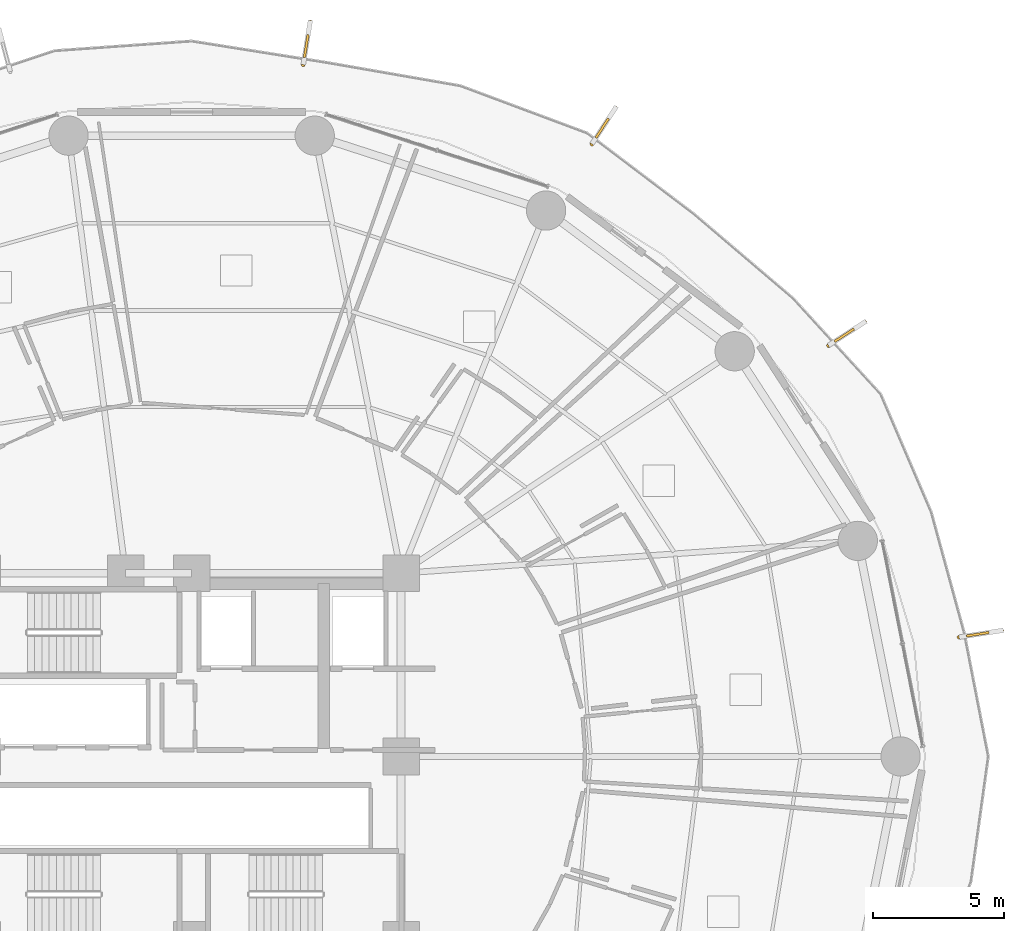
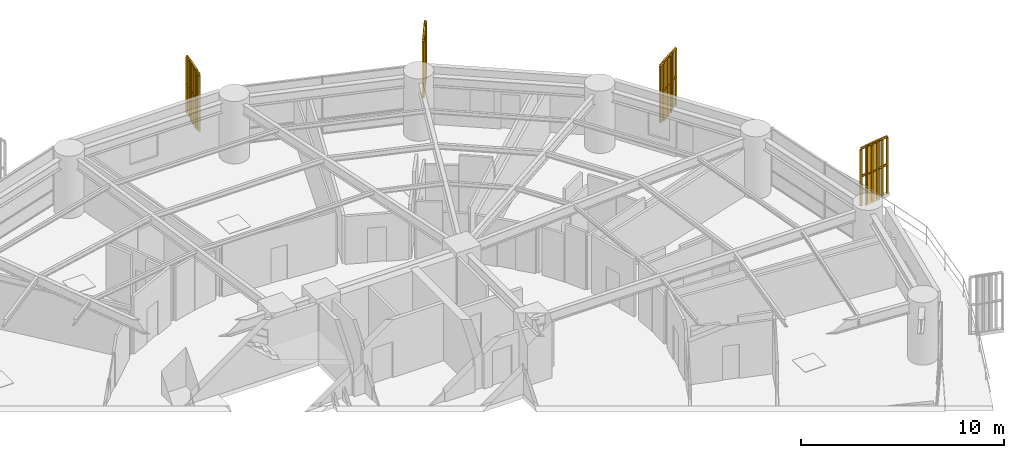
# One storey, part 32 of 32: 4 railings, 4 shading devices.
"""IFC4 building model written with IfcOpenShell, lengths in metres."""

from ifc_helpers import new_model, si_unit, direction, frame, origin, origin_2d, place, context, subcontext, project, spatial, polyline, rectangle, outline, extrude, source, transform, mapped, material, type_object, element, save


model = new_model("IFC4")

# Units and contexts
model_context = context("Model", 3, precision=1e-05, world=origin(), true_north=direction((0.0, 1.0)))
body_context = subcontext(model_context, "Body", "Model", "MODEL_VIEW")
ifc_project = project(units=[si_unit("LENGTHUNIT", "METRE"), si_unit("AREAUNIT", "SQUARE_METRE"), si_unit("VOLUMEUNIT", "CUBIC_METRE"), si_unit("PLANEANGLEUNIT", "RADIAN"), si_unit("MASSUNIT", "GRAM", prefix="KILO")], contexts=[model_context])

# Site, building, storey
site_placement = place(None, origin())
site = spatial("IfcSite", under=ifc_project, at=site_placement, CompositionType="ELEMENT")
building_placement = place(site_placement, origin())
building = spatial("IfcBuilding", under=site, at=building_placement, Name="Kelanora Arch Commons", CompositionType="ELEMENT")
storey_placement = place(building_placement, frame((0.0, 0.0, 60.0)))
storey = spatial("IfcBuildingStorey", under=building, at=storey_placement, Name="L15", CompositionType="ELEMENT", Elevation=60.0)

# Railings
ifc_material_1 = material(Name="Anodised bronze vertical shading fin rib assembly")
railing_type = type_object("IfcRailingType", Name="RAIL-FIN-BRZ", PredefinedType="BALUSTRADE", material=ifc_material_1)
railing_1_placement = place(storey_placement, frame((98.3251953125, 73.69873046875, -0.02001953125)))
element("IfcRailing", 1, at=railing_1_placement, inside=storey, type_object=railing_type, Name="Sweeping Bronze Vertical Fin Blade L15-00", PredefinedType="BALUSTRADE", context=body_context, shape_type="SweptSolid", body=[
    extrude(outline(polyline([(0.06982421875, 0.0), (0.034912109375, 0.060546875), (-0.034912109375, 0.060546875), (-0.06982421875, 0.0), (-0.034912109375, -0.060546875), (0.034912109375, -0.060546875), (0.06982421875, 0.0)])), frame((0.0, 0.0, 3.419921875), z_axis=(0.840218603216, 0.542247820475, 0.0), x_axis=(-0.542247820475, 0.840218603216, 0.0)), (0.0, 0.0, 1.0), 1.655029296875),
    extrude(outline(polyline([(0.06982421875, 0.0), (0.034912109375, 0.060546875), (-0.034912109375, 0.060546875), (-0.06982421875, 0.0), (-0.034912109375, -0.060546875), (0.034912109375, -0.060546875), (0.06982421875, 0.0)])), frame((0.0, 0.0, 1.7451171875), z_axis=(0.840218603216, 0.542247820475, 0.0), x_axis=(-0.542247820475, 0.840218603216, 0.0)), (0.0, 0.0, 1.0), 1.655029296875),
    extrude(outline(polyline([(0.080078125, 0.0), (0.0400390625, 0.0693359375), (-0.0400390625, 0.0693359375), (-0.080078125, 0.0), (-0.0400390625, -0.0693359375), (0.0400390625, -0.0693359375), (0.080078125, 0.0)])), origin(), (0.0, 0.0, 1.0), 3.35009765625),
    extrude(outline(polyline([(0.080078125, 0.0), (0.0400390625, 0.0693359375), (-0.0400390625, 0.0693359375), (-0.080078125, 0.0), (-0.0400390625, -0.0693359375), (0.0400390625, -0.0693359375), (0.080078125, 0.0)])), frame((0.278076171875, 0.179443359375, 0.0)), (0.0, 0.0, 1.0), 3.35009765625),
    extrude(outline(polyline([(0.080078125, 0.0), (0.0400390625, 0.0693359375), (-0.0400390625, 0.0693359375), (-0.080078125, 0.0), (-0.0400390625, -0.0693359375), (0.0400390625, -0.0693359375), (0.080078125, 0.0)])), frame((0.55615234375, 0.35888671875, 0.0)), (0.0, 0.0, 1.0), 3.35009765625),
    extrude(outline(polyline([(0.080078125, 0.0), (0.0400390625, 0.0693359375), (-0.0400390625, 0.0693359375), (-0.080078125, 0.0), (-0.0400390625, -0.0693359375), (0.0400390625, -0.0693359375), (0.080078125, 0.0)])), frame((0.83447265625, 0.53857421875, 0.0)), (0.0, 0.0, 1.0), 3.35009765625),
    extrude(outline(polyline([(0.080078125, 0.0), (0.0400390625, 0.0693359375), (-0.0400390625, 0.0693359375), (-0.080078125, 0.0), (-0.0400390625, -0.0693359375), (0.0400390625, -0.0693359375), (0.080078125, 0.0)])), frame((1.112548828125, 0.718017578125, 0.0)), (0.0, 0.0, 1.0), 3.35009765625),
    extrude(outline(polyline([(0.080078125, 0.0), (0.0400390625, 0.0693359375), (-0.0400390625, 0.0693359375), (-0.080078125, 0.0), (-0.0400390625, -0.0693359375), (0.0400390625, -0.0693359375), (0.080078125, 0.0)])), frame((1.390625, 0.8974609375, 0.0)), (0.0, 0.0, 1.0), 3.35009765625),
])
railing_2_placement = place(storey_placement, frame((89.28955078125, 81.39794921875, -0.02001953125)))
element("IfcRailing", 2, at=railing_2_placement, inside=storey, type_object=railing_type, Name="Sweeping Bronze Vertical Fin Blade L15-01", PredefinedType="BALUSTRADE", context=body_context, shape_type="SweptSolid", body=[
    extrude(outline(polyline([(0.06982421875, 0.0), (0.034912109375, 0.060546875), (-0.034912109375, 0.060546875), (-0.06982421875, 0.0), (-0.034912109375, -0.060546875), (0.034912109375, -0.060546875), (0.06982421875, 0.0)])), frame((0.0, 0.0, 3.419921875), z_axis=(0.547050599076, 0.837099541304, 0.0), x_axis=(-0.837099541304, 0.547050599076, 0.0)), (0.0, 0.0, 1.0), 1.65478515625),
    extrude(outline(polyline([(0.06982421875, 0.0), (0.034912109375, 0.060546875), (-0.034912109375, 0.060546875), (-0.06982421875, 0.0), (-0.034912109375, -0.060546875), (0.034912109375, -0.060546875), (0.06982421875, 0.0)])), frame((0.0, 0.0, 1.7451171875), z_axis=(0.547050599076, 0.837099541304, 0.0), x_axis=(-0.837099541304, 0.547050599076, 0.0)), (0.0, 0.0, 1.0), 1.65478515625),
    extrude(outline(polyline([(0.080078125, 0.0), (0.0400390625, 0.0693359375), (-0.0400390625, 0.0693359375), (-0.080078125, 0.0), (-0.0400390625, -0.0693359375), (0.0400390625, -0.0693359375), (0.080078125, 0.0)])), origin(), (0.0, 0.0, 1.0), 3.35009765625),
    extrude(outline(polyline([(0.080078125, 0.0), (0.0400390625, 0.0693359375), (-0.0400390625, 0.0693359375), (-0.080078125, 0.0), (-0.0400390625, -0.0693359375), (0.0400390625, -0.0693359375), (0.080078125, 0.0)])), frame((0.18115234375, 0.277099609375, 0.0)), (0.0, 0.0, 1.0), 3.35009765625),
    extrude(outline(polyline([(0.080078125, 0.0), (0.0400390625, 0.0693359375), (-0.0400390625, 0.0693359375), (-0.080078125, 0.0), (-0.0400390625, -0.0693359375), (0.0400390625, -0.0693359375), (0.080078125, 0.0)])), frame((0.362060546875, 0.55419921875, 0.0)), (0.0, 0.0, 1.0), 3.35009765625),
    extrude(outline(polyline([(0.080078125, 0.0), (0.0400390625, 0.0693359375), (-0.0400390625, 0.0693359375), (-0.080078125, 0.0), (-0.0400390625, -0.0693359375), (0.0400390625, -0.0693359375), (0.080078125, 0.0)])), frame((0.543212890625, 0.8310546875, 0.0)), (0.0, 0.0, 1.0), 3.35009765625),
    extrude(outline(polyline([(0.080078125, 0.0), (0.0400390625, 0.0693359375), (-0.0400390625, 0.0693359375), (-0.080078125, 0.0), (-0.0400390625, -0.0693359375), (0.0400390625, -0.0693359375), (0.080078125, 0.0)])), frame((0.72412109375, 1.108154296875, 0.0)), (0.0, 0.0, 1.0), 3.35009765625),
    extrude(outline(polyline([(0.080078125, 0.0), (0.0400390625, 0.0693359375), (-0.0400390625, 0.0693359375), (-0.080078125, 0.0), (-0.0400390625, -0.0693359375), (0.0400390625, -0.0693359375), (0.080078125, 0.0)])), frame((0.9052734375, 1.38525390625, 0.0)), (0.0, 0.0, 1.0), 3.35009765625),
])
railing_3_placement = place(storey_placement, frame((78.262451171875, 84.425537109375, -0.02001953125)))
element("IfcRailing", 3, at=railing_3_placement, inside=storey, type_object=railing_type, Name="Sweeping Bronze Vertical Fin Blade L15-02", PredefinedType="BALUSTRADE", context=body_context, shape_type="SweptSolid", body=[
    extrude(outline(polyline([(0.06982421875, 0.0), (0.034912109375, 0.060546875), (-0.034912109375, 0.060546875), (-0.06982421875, 0.0), (-0.034912109375, -0.060546875), (0.034912109375, -0.060546875), (0.06982421875, 0.0)])), frame((0.0, 0.0, 3.419921875), z_axis=(0.159302000662, 0.987229898547, 0.0), x_axis=(-0.987229898547, 0.159302000662, 0.0)), (0.0, 0.0, 1.0), 1.6552734375),
    extrude(outline(polyline([(0.06982421875, 0.0), (0.034912109375, 0.060546875), (-0.034912109375, 0.060546875), (-0.06982421875, 0.0), (-0.034912109375, -0.060546875), (0.034912109375, -0.060546875), (0.06982421875, 0.0)])), frame((0.0, 0.0, 1.7451171875), z_axis=(0.159302000662, 0.987229898547, 0.0), x_axis=(-0.987229898547, 0.159302000662, 0.0)), (0.0, 0.0, 1.0), 1.6552734375),
    extrude(outline(polyline([(0.080078125, 0.0), (0.0400390625, 0.0693359375), (-0.0400390625, 0.0693359375), (-0.080078125, 0.0), (-0.0400390625, -0.0693359375), (0.0400390625, -0.0693359375), (0.080078125, 0.0)])), origin(), (0.0, 0.0, 1.0), 3.35009765625),
    extrude(outline(polyline([(0.080078125, 0.0), (0.0400390625, 0.0693359375), (-0.0400390625, 0.0693359375), (-0.080078125, 0.0), (-0.0400390625, -0.0693359375), (0.0400390625, -0.0693359375), (0.080078125, 0.0)])), frame((0.052734375, 0.326904296875, 0.0)), (0.0, 0.0, 1.0), 3.35009765625),
    extrude(outline(polyline([(0.080078125, 0.0), (0.0400390625, 0.0693359375), (-0.0400390625, 0.0693359375), (-0.080078125, 0.0), (-0.0400390625, -0.0693359375), (0.0400390625, -0.0693359375), (0.080078125, 0.0)])), frame((0.10546875, 0.653564453125, 0.0)), (0.0, 0.0, 1.0), 3.35009765625),
    extrude(outline(polyline([(0.080078125, 0.0), (0.0400390625, 0.0693359375), (-0.0400390625, 0.0693359375), (-0.080078125, 0.0), (-0.0400390625, -0.0693359375), (0.0400390625, -0.0693359375), (0.080078125, 0.0)])), frame((0.158203125, 0.98046875, 0.0)), (0.0, 0.0, 1.0), 3.35009765625),
    extrude(outline(polyline([(0.080078125, 0.0), (0.0400390625, 0.0693359375), (-0.0400390625, 0.0693359375), (-0.080078125, 0.0), (-0.0400390625, -0.0693359375), (0.0400390625, -0.0693359375), (0.080078125, 0.0)])), frame((0.2109375, 1.30712890625, 0.0)), (0.0, 0.0, 1.0), 3.35009765625),
    extrude(outline(polyline([(0.080078125, 0.0), (0.0400390625, 0.0693359375), (-0.0400390625, 0.0693359375), (-0.080078125, 0.0), (-0.0400390625, -0.0693359375), (0.0400390625, -0.0693359375), (0.080078125, 0.0)])), frame((0.263671875, 1.634033203125, 0.0)), (0.0, 0.0, 1.0), 3.35009765625),
])
railing_4_placement = place(storey_placement, frame((103.316162109375, 62.557861328125, -0.02001953125)))
element("IfcRailing", 4, at=railing_4_placement, inside=storey, type_object=railing_type, Name="Sweeping Bronze Vertical Fin Blade L15-14", PredefinedType="BALUSTRADE", context=body_context, shape_type="SweptSolid", body=[
    extrude(outline(polyline([(0.06982421875, 0.0), (0.034912109375, 0.060546875), (-0.034912109375, 0.060546875), (-0.06982421875, 0.0), (-0.034912109375, -0.060546875), (0.034912109375, -0.060546875), (0.06982421875, 0.0)])), frame((0.0, 0.0, 3.419921875), z_axis=(0.988136875039, 0.153575766933, 0.0), x_axis=(-0.153575766933, 0.988136875039, 0.0)), (0.0, 0.0, 1.0), 1.65478515625),
    extrude(outline(polyline([(0.06982421875, 0.0), (0.034912109375, 0.060546875), (-0.034912109375, 0.060546875), (-0.06982421875, 0.0), (-0.034912109375, -0.060546875), (0.034912109375, -0.060546875), (0.06982421875, 0.0)])), frame((0.0, 0.0, 1.7451171875), z_axis=(0.988136875039, 0.153575766933, 0.0), x_axis=(-0.153575766933, 0.988136875039, 0.0)), (0.0, 0.0, 1.0), 1.65478515625),
    extrude(outline(polyline([(0.080078125, 0.0), (0.0400390625, 0.0693359375), (-0.0400390625, 0.0693359375), (-0.080078125, 0.0), (-0.0400390625, -0.0693359375), (0.0400390625, -0.0693359375), (0.080078125, 0.0)])), origin(), (0.0, 0.0, 1.0), 3.35009765625),
    extrude(outline(polyline([(0.080078125, 0.0), (0.0400390625, 0.0693359375), (-0.0400390625, 0.0693359375), (-0.080078125, 0.0), (-0.0400390625, -0.0693359375), (0.0400390625, -0.0693359375), (0.080078125, 0.0)])), frame((0.3271484375, 0.05078125, 0.0)), (0.0, 0.0, 1.0), 3.35009765625),
    extrude(outline(polyline([(0.080078125, 0.0), (0.0400390625, 0.0693359375), (-0.0400390625, 0.0693359375), (-0.080078125, 0.0), (-0.0400390625, -0.0693359375), (0.0400390625, -0.0693359375), (0.080078125, 0.0)])), frame((0.654052734375, 0.1015625, 0.0)), (0.0, 0.0, 1.0), 3.35009765625),
    extrude(outline(polyline([(0.080078125, 0.0), (0.0400390625, 0.0693359375), (-0.0400390625, 0.0693359375), (-0.080078125, 0.0), (-0.0400390625, -0.0693359375), (0.0400390625, -0.0693359375), (0.080078125, 0.0)])), frame((0.981201171875, 0.152587890625, 0.0)), (0.0, 0.0, 1.0), 3.35009765625),
    extrude(outline(polyline([(0.080078125, 0.0), (0.0400390625, 0.0693359375), (-0.0400390625, 0.0693359375), (-0.080078125, 0.0), (-0.0400390625, -0.0693359375), (0.0400390625, -0.0693359375), (0.080078125, 0.0)])), frame((1.30810546875, 0.203369140625, 0.0)), (0.0, 0.0, 1.0), 3.35009765625),
    extrude(outline(polyline([(0.080078125, 0.0), (0.0400390625, 0.0693359375), (-0.0400390625, 0.0693359375), (-0.080078125, 0.0), (-0.0400390625, -0.0693359375), (0.0400390625, -0.0693359375), (0.080078125, 0.0)])), frame((1.63525390625, 0.254150390625, 0.0)), (0.0, 0.0, 1.0), 3.35009765625),
])

# Shading devices
ifc_material_2 = material(Name="Terracotta ceramic-clad extruded aluminium fin", Category="masonry")
shading_device_type = type_object("IfcShadingDeviceType", Name="SHD-FIN-FLARE", PredefinedType="USERDEFINED", material=ifc_material_2)
shared_shape = source(origin(), body_context, "Body", "SweptSolid", [
    extrude(rectangle(XDim=0.8798828125, YDim=0.090087890625, at=origin_2d()), origin(), (0.0, 0.0, 1.0), 3.610107421875),
])
for number, where, z_axis, x_axis, name in (
    (5, (98.93017578125, 74.089111328125, -0.14013671875), (0.0, 0.0, 1.0), (0.840188215011, 0.542294904417, 0.0), "Sweeping Terracotta Fin L15-00"),
    (6, (89.683349609375, 82.00048828125, -0.14013671875), (0.0, 0.0, 1.0), (0.546978918409, 0.837146380758, 0.0), "Sweeping Terracotta Fin L15-01"),
    (7, (78.377197265625, 85.136474609375, -0.14013671875), (0.0, 0.0, 1.0), (0.159191997666, 0.98724764263, 0.0), "Sweeping Terracotta Fin L15-02"),
    (8, (104.027587890625, 62.66845703125, -0.14013671875), (0.0, 0.0, 1.0), (0.988121336368, 0.153675712507, 0.0), "Sweeping Terracotta Fin L15-14"),
):
    element("IfcShadingDevice", number, at=place(storey_placement, frame(where, z_axis=z_axis, x_axis=x_axis)), inside=storey, type_object=shading_device_type, Name=name, ObjectType="FIN", PredefinedType="USERDEFINED", context=body_context, shape_type="MappedRepresentation", body=[
        mapped(shared_shape, transform((0.0, 0.0, 0.0), scale=1.0)),
    ])

save(model, "model.ifc")
